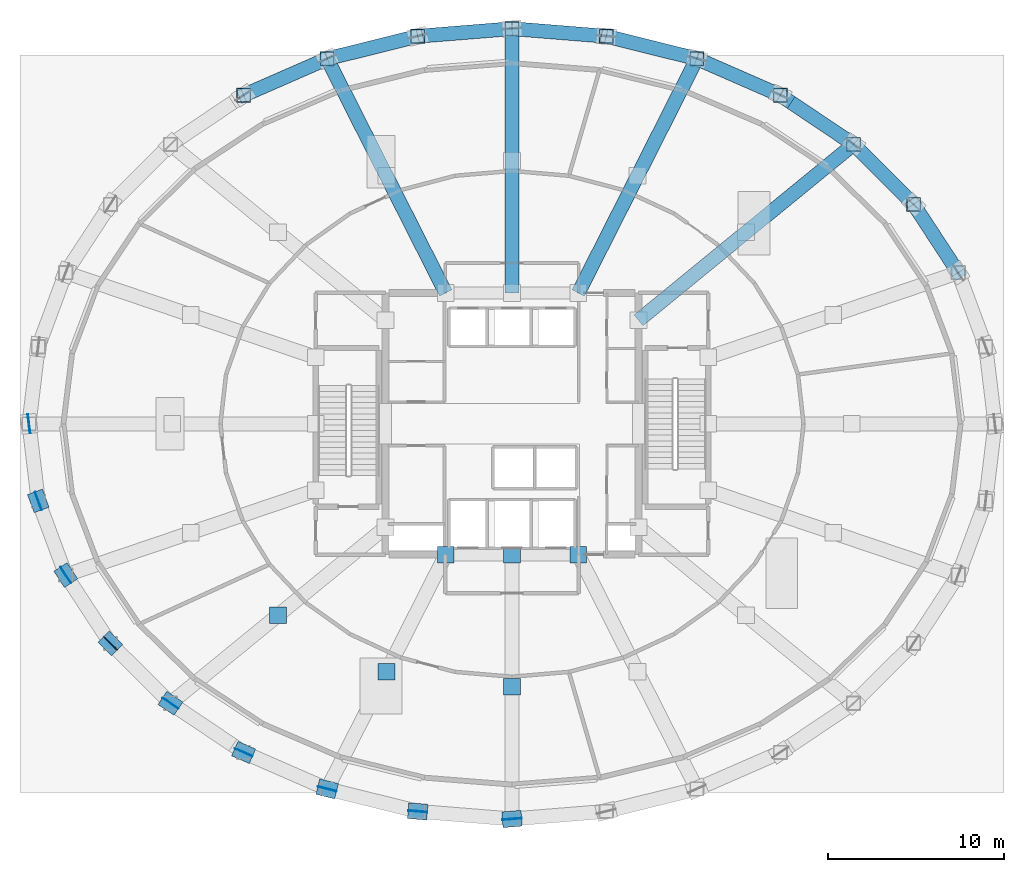
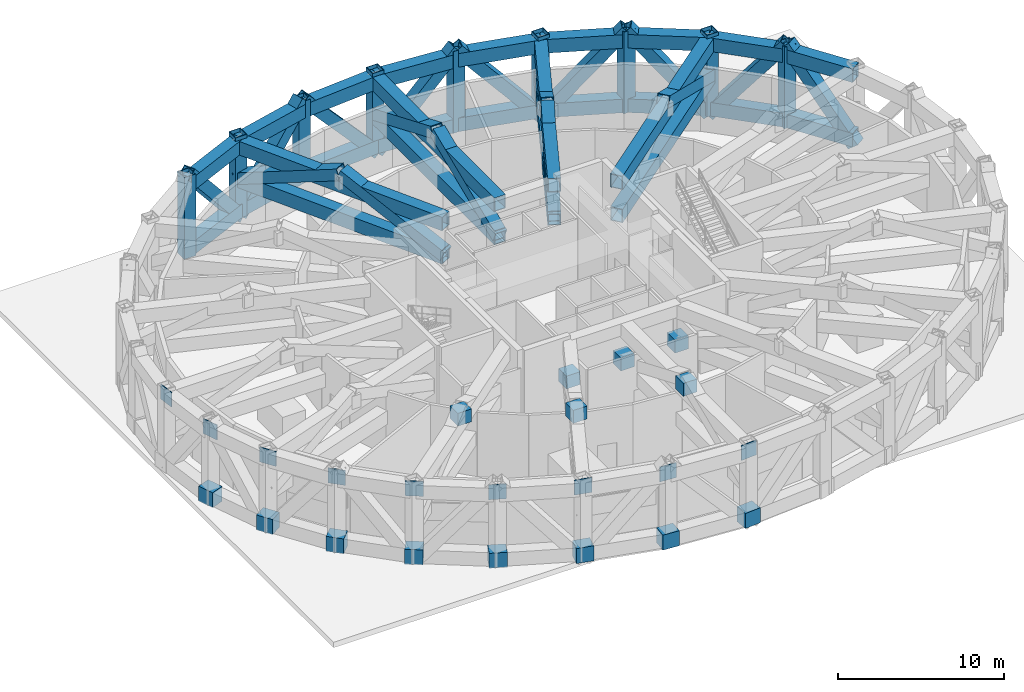
# One storey, part 3 of 12: 26 beams, 25 members, 23 plates.
"""IFC4 building model written with IfcOpenShell, lengths in metres."""

from ifc_helpers import new_model, si_unit, direction, frame, origin, origin_2d, place, context, subcontext, project, spatial, rectangle, hollow_rectangle, extrude, material, layer, layer_set, material_profile, profile_set, type_object, element, save


model = new_model("IFC4")

# Units and contexts
model_context = context("Model", 3, precision=1e-05, world=origin(), true_north=direction((0.0, 1.0)))
body_context = subcontext(model_context, "Body", "Model", "MODEL_VIEW")
ifc_project = project(units=[si_unit("LENGTHUNIT", "METRE"), si_unit("AREAUNIT", "SQUARE_METRE"), si_unit("VOLUMEUNIT", "CUBIC_METRE"), si_unit("PLANEANGLEUNIT", "RADIAN"), si_unit("MASSUNIT", "GRAM", prefix="KILO")], contexts=[model_context])

# Site, building, storey
site_placement = place(None, origin())
site = spatial("IfcSite", under=ifc_project, at=site_placement, CompositionType="ELEMENT")
building_placement = place(site_placement, origin())
building = spatial("IfcBuilding", under=site, at=building_placement, Name="Veldorina Hangang Commons", CompositionType="ELEMENT")
storey_placement = place(building_placement, frame((0.0, 0.0, 24.39990234375)))
storey = spatial("IfcBuildingStorey", under=building, at=storey_placement, Name="L05", CompositionType="ELEMENT", Elevation=24.39990234375)

# Beams
ifc_material = material(Name="Steel SM490-TMC", Category="steel")
ifc_material_profile_1 = material_profile(ifc_material, hollow_rectangle(XDim=0.800048828125, YDim=1.0, WallThickness=0.044921875, at=origin_2d()), Name="BOX-1000x800x45")
ifc_profile_set_1 = profile_set([ifc_material_profile_1], Name="Steel SM490-TMC")
beam_type = type_object("IfcBeamType", Name="BM-TRF1000", PredefinedType="BEAM", material=ifc_profile_set_1)
for number, where, z_axis, x_axis, name in (
    (1, (57.40673828125, 32.6103515625, 5.239990234375), (-0.546927961762, 0.837179672856, 0.0), (-0.837179672856, -0.546927961762, 0.0), "L05 transfer truss top chord 02"),
    (2, (57.40673828125, 32.6103515625, 0.5), (-0.546927961762, 0.837179672856, 0.0), (-0.837179672856, -0.546927961762, 0.0), "L05 transfer truss bottom chord 02"),
):
    element("IfcBeam", number, at=place(storey_placement, frame(where, z_axis=z_axis, x_axis=x_axis)), inside=storey, type_object=beam_type, Name=name, PredefinedType="BEAM", context=body_context, shape_type="SweptSolid", body=[
        extrude(hollow_rectangle(XDim=0.800048828125, YDim=1.0, WallThickness=0.044921875, at=origin_2d()), origin(), (0.0, 0.0, 1.0), 4.646484375),
    ])
for number, where, z_axis, x_axis, name in (
    (3, (54.865478515625, 36.500244140625, 5.239990234375), (-0.708192829004, 0.706019062736, 0.0), (-0.706019062736, -0.708192829004, 0.0), "L05 transfer truss top chord 03"),
    (4, (54.865478515625, 36.500244140625, 0.5), (-0.708192829004, 0.706019062736, 0.0), (-0.706019062736, -0.708192829004, 0.0), "L05 transfer truss bottom chord 03"),
):
    element("IfcBeam", number, at=place(storey_placement, frame(where, z_axis=z_axis, x_axis=x_axis)), inside=storey, type_object=beam_type, Name=name, PredefinedType="BEAM", context=body_context, shape_type="SweptSolid", body=[
        extrude(hollow_rectangle(XDim=0.800048828125, YDim=1.0, WallThickness=0.044921875, at=origin_2d()), origin(), (0.0, 0.0, 1.0), 4.829345703125),
    ])
for number, where, z_axis, x_axis, name in (
    (5, (51.4453125, 39.909912109375, 5.239990234375), (-0.830197333269, 0.557469629517, 0.0), (-0.557469629517, -0.830197333269, 0.0), "L05 transfer truss top chord 04"),
    (6, (51.4453125, 39.909912109375, 0.5), (-0.830197333269, 0.557469629517, 0.0), (-0.557469629517, -0.830197333269, 0.0), "L05 transfer truss bottom chord 04"),
):
    element("IfcBeam", number, at=place(storey_placement, frame(where, z_axis=z_axis, x_axis=x_axis)), inside=storey, type_object=beam_type, Name=name, PredefinedType="BEAM", context=body_context, shape_type="SweptSolid", body=[
        extrude(hollow_rectangle(XDim=0.800048828125, YDim=1.0, WallThickness=0.044921875, at=origin_2d()), origin(), (0.0, 0.0, 1.0), 5.019287109375),
    ])
for number, where, z_axis, x_axis, name in (
    (7, (47.2783203125, 42.7080078125, 5.239990234375), (-0.916214551617, 0.400688027529, 0.0), (-0.400688027529, -0.916214551617, 0.0), "L05 transfer truss top chord 05"),
    (8, (47.2783203125, 42.7080078125, 0.5), (-0.916214551617, 0.400688027529, 0.0), (-0.400688027529, -0.916214551617, 0.0), "L05 transfer truss bottom chord 05"),
):
    element("IfcBeam", number, at=place(storey_placement, frame(where, z_axis=z_axis, x_axis=x_axis)), inside=storey, type_object=beam_type, Name=name, PredefinedType="BEAM", context=body_context, shape_type="SweptSolid", body=[
        extrude(hollow_rectangle(XDim=0.800048828125, YDim=1.0, WallThickness=0.044921875, at=origin_2d()), origin(), (0.0, 0.0, 1.0), 5.189453125),
    ])
for number, where, z_axis, x_axis, name in (
    (9, (42.523681640625, 44.787353515625, 5.239990234375), (-0.970557168318, 0.240870884556, 0.0), (-0.240870884556, -0.970557168318, 0.0), "L05 transfer truss top chord 06"),
    (10, (42.523681640625, 44.787353515625, 0.5), (-0.970557168318, 0.240870884556, 0.0), (-0.240870884556, -0.970557168318, 0.0), "L05 transfer truss bottom chord 06"),
):
    element("IfcBeam", number, at=place(storey_placement, frame(where, z_axis=z_axis, x_axis=x_axis)), inside=storey, type_object=beam_type, Name=name, PredefinedType="BEAM", context=body_context, shape_type="SweptSolid", body=[
        extrude(hollow_rectangle(XDim=0.800048828125, YDim=1.0, WallThickness=0.044921875, at=origin_2d()), origin(), (0.0, 0.0, 1.0), 5.315185546875),
    ])
for number, where, z_axis, x_axis, name in (
    (11, (37.364990234375, 46.067626953125, 5.239990234375), (-0.996768232769, 0.080331128111, 0.0), (-0.080331128111, -0.996768232769, 0.0), "L05 transfer truss top chord 07"),
    (12, (37.364990234375, 46.067626953125, 0.5), (-0.996768232769, 0.080331128111, 0.0), (-0.080331128111, -0.996768232769, 0.0), "L05 transfer truss bottom chord 07"),
    (13, (32.0, 46.5, 5.239990234375), (-0.996768232769, -0.080331128111, 0.0), (0.080331128111, -0.996768232769, 0.0), "L05 transfer truss top chord 08"),
    (14, (32.0, 46.5, 0.5), (-0.996768232769, -0.080331128111, 0.0), (0.080331128111, -0.996768232769, 0.0), "L05 transfer truss bottom chord 08"),
):
    element("IfcBeam", number, at=place(storey_placement, frame(where, z_axis=z_axis, x_axis=x_axis)), inside=storey, type_object=beam_type, Name=name, PredefinedType="BEAM", context=body_context, shape_type="SweptSolid", body=[
        extrude(hollow_rectangle(XDim=0.800048828125, YDim=1.0, WallThickness=0.044921875, at=origin_2d()), origin(), (0.0, 0.0, 1.0), 5.38232421875),
    ])
for number, where, z_axis, x_axis, name in (
    (15, (26.635009765625, 46.067626953125, 5.239990234375), (-0.970557168318, -0.240870884556, 0.0), (0.240870884556, -0.970557168318, 0.0), "L05 transfer truss top chord 09"),
    (16, (26.635009765625, 46.067626953125, 0.5), (-0.970557168318, -0.240870884556, 0.0), (0.240870884556, -0.970557168318, 0.0), "L05 transfer truss bottom chord 09"),
):
    element("IfcBeam", number, at=place(storey_placement, frame(where, z_axis=z_axis, x_axis=x_axis)), inside=storey, type_object=beam_type, Name=name, PredefinedType="BEAM", context=body_context, shape_type="SweptSolid", body=[
        extrude(hollow_rectangle(XDim=0.800048828125, YDim=1.0, WallThickness=0.044921875, at=origin_2d()), origin(), (0.0, 0.0, 1.0), 5.315185546875),
    ])
for number, where, z_axis, x_axis, name in (
    (17, (21.476318359375, 44.787353515625, 5.239990234375), (-0.916214551617, -0.400688027529, 0.0), (0.400688027529, -0.916214551617, 0.0), "L05 transfer truss top chord 10"),
    (18, (21.476318359375, 44.787353515625, 0.5), (-0.916214551617, -0.400688027529, 0.0), (0.400688027529, -0.916214551617, 0.0), "L05 transfer truss bottom chord 10"),
):
    element("IfcBeam", number, at=place(storey_placement, frame(where, z_axis=z_axis, x_axis=x_axis)), inside=storey, type_object=beam_type, Name=name, PredefinedType="BEAM", context=body_context, shape_type="SweptSolid", body=[
        extrude(hollow_rectangle(XDim=0.800048828125, YDim=1.0, WallThickness=0.044921875, at=origin_2d()), origin(), (0.0, 0.0, 1.0), 5.189453125),
    ])
for number, where, z_axis, x_axis, name in (
    (19, (39.199951171875, 29.890869140625, 5.239990234375), (0.773953861676, 0.633241991656, 0.0), (-0.633241991656, 0.773953861676, 0.0), "L05 radial transfer top girder 03"),
    (20, (39.199951171875, 29.890869140625, 2.800048828125), (0.773953861676, 0.633241991656, 0.0), (-0.633241991656, 0.773953861676, 0.0), "L05 radial transfer bottom girder 03"),
):
    element("IfcBeam", number, at=place(storey_placement, frame(where, z_axis=z_axis, x_axis=x_axis)), inside=storey, type_object=beam_type, Name=name, PredefinedType="BEAM", context=body_context, shape_type="SweptSolid", body=[
        extrude(hollow_rectangle(XDim=0.800048828125, YDim=1.0, WallThickness=0.044921875, at=origin_2d()), origin(), (0.0, 0.0, 1.0), 15.82177734375),
    ])
for number, where, z_axis, x_axis, name in (
    (21, (35.771484375, 31.449951171875, 5.239990234375), (0.451676273597, 0.892181900662, 0.0), (-0.892181900662, 0.451676273597, 0.0), "L05 radial transfer top girder 04"),
    (22, (35.771484375, 31.449951171875, 2.800048828125), (0.451676273597, 0.892181900662, 0.0), (-0.892181900662, 0.451676273597, 0.0), "L05 radial transfer bottom girder 04"),
):
    element("IfcBeam", number, at=place(storey_placement, frame(where, z_axis=z_axis, x_axis=x_axis)), inside=storey, type_object=beam_type, Name=name, PredefinedType="BEAM", context=body_context, shape_type="SweptSolid", body=[
        extrude(hollow_rectangle(XDim=0.800048828125, YDim=1.0, WallThickness=0.044921875, at=origin_2d()), origin(), (0.0, 0.0, 1.0), 14.94921875),
    ])
for number, where, z_axis, x_axis, name in (
    (23, (32.0, 31.449951171875, 5.239990234375), (0.0, 1.0, 0.0), (-1.0, 0.0, 0.0), "L05 radial transfer top girder 05"),
    (24, (32.0, 31.449951171875, 2.800048828125), (0.0, 1.0, 0.0), (-1.0, 0.0, 0.0), "L05 radial transfer bottom girder 05"),
):
    element("IfcBeam", number, at=place(storey_placement, frame(where, z_axis=z_axis, x_axis=x_axis)), inside=storey, type_object=beam_type, Name=name, PredefinedType="BEAM", context=body_context, shape_type="SweptSolid", body=[
        extrude(hollow_rectangle(XDim=0.800048828125, YDim=1.0, WallThickness=0.044921875, at=origin_2d()), origin(), (0.0, 0.0, 1.0), 15.050048828125),
    ])
for number, where, z_axis, x_axis, name in (
    (25, (28.228515625, 31.449951171875, 5.239990234375), (-0.451676273597, 0.892181900662, 0.0), (-0.892181900662, -0.451676273597, 0.0), "L05 radial transfer top girder 06"),
    (26, (28.228515625, 31.449951171875, 2.800048828125), (-0.451676273597, 0.892181900662, 0.0), (-0.892181900662, -0.451676273597, 0.0), "L05 radial transfer bottom girder 06"),
):
    element("IfcBeam", number, at=place(storey_placement, frame(where, z_axis=z_axis, x_axis=x_axis)), inside=storey, type_object=beam_type, Name=name, PredefinedType="BEAM", context=body_context, shape_type="SweptSolid", body=[
        extrude(hollow_rectangle(XDim=0.800048828125, YDim=1.0, WallThickness=0.044921875, at=origin_2d()), origin(), (0.0, 0.0, 1.0), 14.94921875),
    ])

# Members
ifc_material_profile_2 = material_profile(ifc_material, hollow_rectangle(XDim=0.800048828125, YDim=0.800048828125, WallThickness=0.0400390625, at=origin_2d()), Name="BOX-800x800x40")
ifc_profile_set_2 = profile_set([ifc_material_profile_2], Name="Steel SM490-TMC")
member_type = type_object("IfcMemberType", Name="TR-BOX800", PredefinedType="BRACE", material=ifc_profile_set_2)
member_1_placement = place(storey_placement, frame((57.40673828125, 32.6103515625, 0.0), z_axis=(-0.334871579761, 0.512586115893, 0.790643091959), x_axis=(-0.837179672856, -0.546927961762, 0.0)))
element("IfcMember", 27, at=member_1_placement, inside=storey, type_object=member_type, Name="L05 transfer perimeter diagonal 02", PredefinedType="BRACE", context=body_context, shape_type="SweptSolid", body=[
    extrude(hollow_rectangle(XDim=0.800048828125, YDim=0.800048828125, WallThickness=0.0400390625, at=origin_2d()), origin(), (0.0, 0.0, 1.0), 7.5888671875),
])
member_2_placement = place(storey_placement, frame((54.865478515625, 36.500244140625, 0.0), z_axis=(0.0, 0.0, 1.0), x_axis=(1.0, 0.0, 0.0)))
element("IfcMember", 28, at=member_2_placement, inside=storey, type_object=member_type, Name="L05 transfer truss vertical post 03", PredefinedType="BRACE", context=body_context, shape_type="SweptSolid", body=[
    extrude(hollow_rectangle(XDim=0.800048828125, YDim=0.800048828125, WallThickness=0.0400390625, at=origin_2d()), origin(), (0.0, 0.0, 1.0), 6.0),
])
member_3_placement = place(storey_placement, frame((54.865478515625, 36.500244140625, 6.0), z_axis=(-0.444052455287, 0.442689456102, -0.779001580493), x_axis=(-0.706019062736, -0.708192829004, 0.0)))
element("IfcMember", 29, at=member_3_placement, inside=storey, type_object=member_type, Name="L05 transfer perimeter diagonal 03", PredefinedType="BRACE", context=body_context, shape_type="SweptSolid", body=[
    extrude(hollow_rectangle(XDim=0.800048828125, YDim=0.800048828125, WallThickness=0.0400390625, at=origin_2d()), origin(), (0.0, 0.0, 1.0), 7.7021484375),
])
member_4_placement = place(storey_placement, frame((51.4453125, 39.909912109375, 0.0), z_axis=(0.0, 0.0, 1.0), x_axis=(1.0, 0.0, 0.0)))
element("IfcMember", 30, at=member_4_placement, inside=storey, type_object=member_type, Name="L05 transfer truss vertical post 04", PredefinedType="BRACE", context=body_context, shape_type="SweptSolid", body=[
    extrude(hollow_rectangle(XDim=0.800048828125, YDim=0.800048828125, WallThickness=0.0400390625, at=origin_2d()), origin(), (0.0, 0.0, 1.0), 6.0),
])
member_5_placement = place(storey_placement, frame((51.4453125, 39.909912109375, 0.0), z_axis=(-0.532685939643, 0.35769355251, 0.767007830599), x_axis=(-0.557469629517, -0.830197333269, 0.0)))
element("IfcMember", 31, at=member_5_placement, inside=storey, type_object=member_type, Name="L05 transfer perimeter diagonal 04", PredefinedType="BRACE", context=body_context, shape_type="SweptSolid", body=[
    extrude(hollow_rectangle(XDim=0.800048828125, YDim=0.800048828125, WallThickness=0.0400390625, at=origin_2d()), origin(), (0.0, 0.0, 1.0), 7.822509765625),
])
member_6_placement = place(storey_placement, frame((47.2783203125, 42.7080078125, 0.0), z_axis=(0.0, 0.0, 1.0), x_axis=(1.0, 0.0, 0.0)))
element("IfcMember", 32, at=member_6_placement, inside=storey, type_object=member_type, Name="L05 transfer truss vertical post 05", PredefinedType="BRACE", context=body_context, shape_type="SweptSolid", body=[
    extrude(hollow_rectangle(XDim=0.800048828125, YDim=0.800048828125, WallThickness=0.0400390625, at=origin_2d()), origin(), (0.0, 0.0, 1.0), 6.0),
])
member_7_placement = place(storey_placement, frame((47.2783203125, 42.7080078125, 6.0), z_axis=(-0.599359964024, 0.262118039209, -0.756347649594), x_axis=(-0.400688027529, -0.916214551617, 0.0)))
element("IfcMember", 33, at=member_7_placement, inside=storey, type_object=member_type, Name="L05 transfer perimeter diagonal 05", PredefinedType="BRACE", context=body_context, shape_type="SweptSolid", body=[
    extrude(hollow_rectangle(XDim=0.800048828125, YDim=0.800048828125, WallThickness=0.0400390625, at=origin_2d()), origin(), (0.0, 0.0, 1.0), 7.932861328125),
])
member_8_placement = place(storey_placement, frame((42.523681640625, 44.787353515625, 0.0), z_axis=(0.0, 0.0, 1.0), x_axis=(1.0, 0.0, 0.0)))
element("IfcMember", 34, at=member_8_placement, inside=storey, type_object=member_type, Name="L05 transfer truss vertical post 06", PredefinedType="BRACE", context=body_context, shape_type="SweptSolid", body=[
    extrude(hollow_rectangle(XDim=0.800048828125, YDim=0.800048828125, WallThickness=0.0400390625, at=origin_2d()), origin(), (0.0, 0.0, 1.0), 6.0),
])
member_9_placement = place(storey_placement, frame((42.523681640625, 44.787353515625, 0.0), z_axis=(-0.643574661969, 0.159721037736, 0.748532460603), x_axis=(-0.240870884556, -0.970557168318, 0.0)))
element("IfcMember", 35, at=member_9_placement, inside=storey, type_object=member_type, Name="L05 transfer perimeter diagonal 06", PredefinedType="BRACE", context=body_context, shape_type="SweptSolid", body=[
    extrude(hollow_rectangle(XDim=0.800048828125, YDim=0.800048828125, WallThickness=0.0400390625, at=origin_2d()), origin(), (0.0, 0.0, 1.0), 8.015625),
])
member_10_placement = place(storey_placement, frame((37.364990234375, 46.067626953125, 0.0), z_axis=(0.0, 0.0, 1.0), x_axis=(1.0, 0.0, 0.0)))
element("IfcMember", 36, at=member_10_placement, inside=storey, type_object=member_type, Name="L05 transfer truss vertical post 07", PredefinedType="BRACE", context=body_context, shape_type="SweptSolid", body=[
    extrude(hollow_rectangle(XDim=0.800048828125, YDim=0.800048828125, WallThickness=0.0400390625, at=origin_2d()), origin(), (0.0, 0.0, 1.0), 6.0),
])
member_11_placement = place(storey_placement, frame((37.364990234375, 46.067626953125, 6.0), z_axis=(-0.665598415745, 0.053641628864, -0.744379825499), x_axis=(-0.080331128111, -0.996768232769, 0.0)))
element("IfcMember", 37, at=member_11_placement, inside=storey, type_object=member_type, Name="L05 transfer perimeter diagonal 07", PredefinedType="BRACE", context=body_context, shape_type="SweptSolid", body=[
    extrude(hollow_rectangle(XDim=0.800048828125, YDim=0.800048828125, WallThickness=0.0400390625, at=origin_2d()), origin(), (0.0, 0.0, 1.0), 8.060302734375),
])
member_12_placement = place(storey_placement, frame((32.0, 46.5, 0.0), z_axis=(0.0, 0.0, 1.0), x_axis=(1.0, 0.0, 0.0)))
element("IfcMember", 38, at=member_12_placement, inside=storey, type_object=member_type, Name="L05 transfer truss vertical post 08", PredefinedType="BRACE", context=body_context, shape_type="SweptSolid", body=[
    extrude(hollow_rectangle(XDim=0.800048828125, YDim=0.800048828125, WallThickness=0.0400390625, at=origin_2d()), origin(), (0.0, 0.0, 1.0), 6.0),
])
member_13_placement = place(storey_placement, frame((32.0, 46.5, 0.0), z_axis=(-0.665598415745, -0.053641628864, 0.744379825499), x_axis=(0.080331128111, -0.996768232769, 0.0)))
element("IfcMember", 39, at=member_13_placement, inside=storey, type_object=member_type, Name="L05 transfer perimeter diagonal 08", PredefinedType="BRACE", context=body_context, shape_type="SweptSolid", body=[
    extrude(hollow_rectangle(XDim=0.800048828125, YDim=0.800048828125, WallThickness=0.0400390625, at=origin_2d()), origin(), (0.0, 0.0, 1.0), 8.060302734375),
])
member_14_placement = place(storey_placement, frame((26.635009765625, 46.067626953125, 0.0), z_axis=(0.0, 0.0, 1.0), x_axis=(1.0, 0.0, 0.0)))
element("IfcMember", 40, at=member_14_placement, inside=storey, type_object=member_type, Name="L05 transfer truss vertical post 09", PredefinedType="BRACE", context=body_context, shape_type="SweptSolid", body=[
    extrude(hollow_rectangle(XDim=0.800048828125, YDim=0.800048828125, WallThickness=0.0400390625, at=origin_2d()), origin(), (0.0, 0.0, 1.0), 6.0),
])
member_15_placement = place(storey_placement, frame((26.635009765625, 46.067626953125, 6.0), z_axis=(-0.643574661969, -0.159721037736, -0.748532460603), x_axis=(0.240870884556, -0.970557168318, 0.0)))
element("IfcMember", 41, at=member_15_placement, inside=storey, type_object=member_type, Name="L05 transfer perimeter diagonal 09", PredefinedType="BRACE", context=body_context, shape_type="SweptSolid", body=[
    extrude(hollow_rectangle(XDim=0.800048828125, YDim=0.800048828125, WallThickness=0.0400390625, at=origin_2d()), origin(), (0.0, 0.0, 1.0), 8.015625),
])
member_16_placement = place(storey_placement, frame((21.476318359375, 44.787353515625, 0.0), z_axis=(0.0, 0.0, 1.0), x_axis=(1.0, 0.0, 0.0)))
element("IfcMember", 42, at=member_16_placement, inside=storey, type_object=member_type, Name="L05 transfer truss vertical post 10", PredefinedType="BRACE", context=body_context, shape_type="SweptSolid", body=[
    extrude(hollow_rectangle(XDim=0.800048828125, YDim=0.800048828125, WallThickness=0.0400390625, at=origin_2d()), origin(), (0.0, 0.0, 1.0), 6.0),
])
member_17_placement = place(storey_placement, frame((21.476318359375, 44.787353515625, 0.0), z_axis=(-0.599359964024, -0.262118039209, 0.756347649594), x_axis=(0.400688027529, -0.916214551617, 0.0)))
element("IfcMember", 43, at=member_17_placement, inside=storey, type_object=member_type, Name="L05 transfer perimeter diagonal 10", PredefinedType="BRACE", context=body_context, shape_type="SweptSolid", body=[
    extrude(hollow_rectangle(XDim=0.800048828125, YDim=0.800048828125, WallThickness=0.0400390625, at=origin_2d()), origin(), (0.0, 0.0, 1.0), 7.932861328125),
])
member_18_placement = place(storey_placement, frame((16.7216796875, 42.7080078125, 0.0), z_axis=(0.0, 0.0, 1.0), x_axis=(1.0, 0.0, 0.0)))
element("IfcMember", 44, at=member_18_placement, inside=storey, type_object=member_type, Name="L05 transfer truss vertical post 11", PredefinedType="BRACE", context=body_context, shape_type="SweptSolid", body=[
    extrude(hollow_rectangle(XDim=0.800048828125, YDim=0.800048828125, WallThickness=0.0400390625, at=origin_2d()), origin(), (0.0, 0.0, 1.0), 6.0),
])
member_19_placement = place(storey_placement, frame((45.32275390625, 34.900390625, 6.0), z_axis=(0.719043590074, 0.588326637879, -0.369929834881), x_axis=(-0.633249554266, 0.773947673956, 0.0)))
element("IfcMember", 45, at=member_19_placement, inside=storey, type_object=member_type, Name="L05 radial transfer outer web brace 03", PredefinedType="BRACE", context=body_context, shape_type="SweptSolid", body=[
    extrude(hollow_rectangle(XDim=0.800048828125, YDim=0.800048828125, WallThickness=0.0400390625, at=origin_2d()), origin(), (0.0, 0.0, 1.0), 8.514892578125),
])
member_20_placement = place(storey_placement, frame((35.771484375, 31.449951171875, 2.85009765625), z_axis=(0.416239419568, 0.82215487349, 0.388337623202), x_axis=(-0.892175319449, 0.451689273025, 0.0)))
element("IfcMember", 46, at=member_20_placement, inside=storey, type_object=member_type, Name="L05 radial transfer inner web brace 04", PredefinedType="BRACE", context=body_context, shape_type="SweptSolid", body=[
    extrude(hollow_rectangle(XDim=0.800048828125, YDim=0.800048828125, WallThickness=0.0400390625, at=origin_2d()), origin(), (0.0, 0.0, 1.0), 8.111328125),
])
member_21_placement = place(storey_placement, frame((39.147705078125, 38.11865234375, 6.0), z_axis=(0.416214534889, 0.822165173597, -0.388342488367), x_axis=(-0.892188481783, 0.451663273882, 0.0)))
element("IfcMember", 47, at=member_21_placement, inside=storey, type_object=member_type, Name="L05 radial transfer outer web brace 04", PredefinedType="BRACE", context=body_context, shape_type="SweptSolid", body=[
    extrude(hollow_rectangle(XDim=0.800048828125, YDim=0.800048828125, WallThickness=0.0400390625, at=origin_2d()), origin(), (0.0, 0.0, 1.0), 8.111083984375),
])
member_22_placement = place(storey_placement, frame((32.0, 31.449951171875, 2.85009765625), z_axis=(0.0, 0.922447929404, 0.386121506186), x_axis=(-1.0, 0.0, 0.0)))
element("IfcMember", 48, at=member_22_placement, inside=storey, type_object=member_type, Name="L05 radial transfer inner web brace 05", PredefinedType="BRACE", context=body_context, shape_type="SweptSolid", body=[
    extrude(hollow_rectangle(XDim=0.800048828125, YDim=0.800048828125, WallThickness=0.0400390625, at=origin_2d()), origin(), (0.0, 0.0, 1.0), 8.15771484375),
])
member_23_placement = place(storey_placement, frame((32.0, 38.97509765625, 6.0), z_axis=(0.0, 0.922443467369, -0.386132165855), x_axis=(-1.0, 0.0, 0.0)))
element("IfcMember", 49, at=member_23_placement, inside=storey, type_object=member_type, Name="L05 radial transfer outer web brace 05", PredefinedType="BRACE", context=body_context, shape_type="SweptSolid", body=[
    extrude(hollow_rectangle(XDim=0.800048828125, YDim=0.800048828125, WallThickness=0.0400390625, at=origin_2d()), origin(), (0.0, 0.0, 1.0), 8.157470703125),
])
member_24_placement = place(storey_placement, frame((28.228515625, 31.449951171875, 2.85009765625), z_axis=(-0.416239419568, 0.82215487349, 0.388337623202), x_axis=(-0.892175319449, -0.451689273025, 0.0)))
element("IfcMember", 50, at=member_24_placement, inside=storey, type_object=member_type, Name="L05 radial transfer inner web brace 06", PredefinedType="BRACE", context=body_context, shape_type="SweptSolid", body=[
    extrude(hollow_rectangle(XDim=0.800048828125, YDim=0.800048828125, WallThickness=0.0400390625, at=origin_2d()), origin(), (0.0, 0.0, 1.0), 8.111328125),
])
member_25_placement = place(storey_placement, frame((24.852294921875, 38.11865234375, 6.0), z_axis=(-0.416214534889, 0.822165173597, -0.388342488367), x_axis=(-0.892188481783, -0.451663273882, 0.0)))
element("IfcMember", 51, at=member_25_placement, inside=storey, type_object=member_type, Name="L05 radial transfer outer web brace 06", PredefinedType="BRACE", context=body_context, shape_type="SweptSolid", body=[
    extrude(hollow_rectangle(XDim=0.800048828125, YDim=0.800048828125, WallThickness=0.0400390625, at=origin_2d()), origin(), (0.0, 0.0, 1.0), 8.111083984375),
])

# Plates
ifc_layer = layer(ifc_material, 0.044921875)
ifc_layer_set = layer_set([ifc_layer], Name="Steel SM490-TMC")
plate_type = type_object("IfcPlateType", Name="PL-NODE-45", PredefinedType="SHEET", material=ifc_layer_set)
for number, where, z_axis, x_axis, name in (
    (52, (4.5, 24.0, 4.68994140625), (0.0, 0.0, 1.0), (0.119513047327, -0.992832630164, 0.0), "L05 transfer node gusset plate 16"),
    (53, (5.0283203125, 19.610595703125, 4.68994140625), (0.0, 0.0, 1.0), (0.347623066797, -0.937634365534, 0.0), "L05 transfer node gusset plate 17"),
):
    element("IfcPlate", number, at=place(storey_placement, frame(where, z_axis=z_axis, x_axis=x_axis)), inside=storey, type_object=plate_type, Name=name, PredefinedType="SHEET", context=body_context, shape_type="SweptSolid", body=[
        extrude(rectangle(XDim=1.10009765625, YDim=0.044921875, at=origin_2d()), origin(), (0.0, 0.0, 1.0), 1.10009765625),
    ])
plate_1_placement = place(storey_placement, frame((5.0283203125, 19.610595703125, -0.050048828125), z_axis=(0.0, 0.0, 1.0), x_axis=(0.347623066797, -0.937634365534, 0.0)))
element("IfcPlate", 54, at=plate_1_placement, inside=storey, type_object=plate_type, Name="L05 transfer bottom node gusset 17", PredefinedType="SHEET", context=body_context, shape_type="SweptSolid", body=[
    extrude(rectangle(XDim=1.10009765625, YDim=0.89990234375, at=origin_2d()), origin(), (0.0, 0.0, 1.0), 1.10009765625),
])
plate_2_placement = place(storey_placement, frame((6.59326171875, 15.3896484375, 4.68994140625), z_axis=(0.0, 0.0, 1.0), x_axis=(0.546935084777, -0.83717501936, 0.0)))
element("IfcPlate", 55, at=plate_2_placement, inside=storey, type_object=plate_type, Name="L05 transfer node gusset plate 18", PredefinedType="SHEET", context=body_context, shape_type="SweptSolid", body=[
    extrude(rectangle(XDim=1.10009765625, YDim=0.044921875, at=origin_2d()), origin(), (0.0, 0.0, 1.0), 1.10009765625),
])
plate_3_placement = place(storey_placement, frame((6.59326171875, 15.3896484375, -0.050048828125), z_axis=(0.0, 0.0, 1.0), x_axis=(0.546935084777, -0.83717501936, 0.0)))
element("IfcPlate", 56, at=plate_3_placement, inside=storey, type_object=plate_type, Name="L05 transfer bottom node gusset 18", PredefinedType="SHEET", context=body_context, shape_type="SweptSolid", body=[
    extrude(rectangle(XDim=1.10009765625, YDim=0.89990234375, at=origin_2d()), origin(), (0.0, 0.0, 1.0), 1.10009765625),
])
plate_4_placement = place(storey_placement, frame((9.134521484375, 11.499755859375, 4.68994140625), z_axis=(0.0, 0.0, 1.0), x_axis=(0.708179662314, -0.706032269719, 0.0)))
element("IfcPlate", 57, at=plate_4_placement, inside=storey, type_object=plate_type, Name="L05 transfer node gusset plate 19", PredefinedType="SHEET", context=body_context, shape_type="SweptSolid", body=[
    extrude(rectangle(XDim=1.10009765625, YDim=0.044921875, at=origin_2d()), origin(), (0.0, 0.0, 1.0), 1.10009765625),
])
plate_5_placement = place(storey_placement, frame((9.134521484375, 11.499755859375, -0.050048828125), z_axis=(0.0, 0.0, 1.0), x_axis=(0.708179662314, -0.706032269719, 0.0)))
element("IfcPlate", 58, at=plate_5_placement, inside=storey, type_object=plate_type, Name="L05 transfer bottom node gusset 19", PredefinedType="SHEET", context=body_context, shape_type="SweptSolid", body=[
    extrude(rectangle(XDim=1.10009765625, YDim=0.89990234375, at=origin_2d()), origin(), (0.0, 0.0, 1.0), 1.10009765625),
])
plate_6_placement = place(storey_placement, frame((12.5546875, 8.090087890625, 4.68994140625), z_axis=(0.0, 0.0, 1.0), x_axis=(0.830197194737, -0.557469835821, 0.0)))
element("IfcPlate", 59, at=plate_6_placement, inside=storey, type_object=plate_type, Name="L05 transfer node gusset plate 20", PredefinedType="SHEET", context=body_context, shape_type="SweptSolid", body=[
    extrude(rectangle(XDim=1.10009765625, YDim=0.044921875, at=origin_2d()), origin(), (0.0, 0.0, 1.0), 1.10009765625),
])
plate_7_placement = place(storey_placement, frame((12.5546875, 8.090087890625, -0.050048828125), z_axis=(0.0, 0.0, 1.0), x_axis=(0.830197194737, -0.557469835821, 0.0)))
element("IfcPlate", 60, at=plate_7_placement, inside=storey, type_object=plate_type, Name="L05 transfer bottom node gusset 20", PredefinedType="SHEET", context=body_context, shape_type="SweptSolid", body=[
    extrude(rectangle(XDim=1.10009765625, YDim=0.89990234375, at=origin_2d()), origin(), (0.0, 0.0, 1.0), 1.10009765625),
])
plate_8_placement = place(storey_placement, frame((16.7216796875, 5.2919921875, 4.68994140625), z_axis=(0.0, 0.0, 1.0), x_axis=(0.916215932431, -0.400684870141, 0.0)))
element("IfcPlate", 61, at=plate_8_placement, inside=storey, type_object=plate_type, Name="L05 transfer node gusset plate 21", PredefinedType="SHEET", context=body_context, shape_type="SweptSolid", body=[
    extrude(rectangle(XDim=1.10009765625, YDim=0.044921875, at=origin_2d()), origin(), (0.0, 0.0, 1.0), 1.10009765625),
])
plate_9_placement = place(storey_placement, frame((16.7216796875, 5.2919921875, -0.050048828125), z_axis=(0.0, 0.0, 1.0), x_axis=(0.916215932431, -0.400684870141, 0.0)))
element("IfcPlate", 62, at=plate_9_placement, inside=storey, type_object=plate_type, Name="L05 transfer bottom node gusset 21", PredefinedType="SHEET", context=body_context, shape_type="SweptSolid", body=[
    extrude(rectangle(XDim=1.10009765625, YDim=0.89990234375, at=origin_2d()), origin(), (0.0, 0.0, 1.0), 1.10009765625),
])
plate_10_placement = place(storey_placement, frame((21.476318359375, 3.212646484375, 4.68994140625), z_axis=(0.0, 0.0, 1.0), x_axis=(0.970552738672, -0.240888732524, 0.0)))
element("IfcPlate", 63, at=plate_10_placement, inside=storey, type_object=plate_type, Name="L05 transfer node gusset plate 22", PredefinedType="SHEET", context=body_context, shape_type="SweptSolid", body=[
    extrude(rectangle(XDim=1.10009765625, YDim=0.044921875, at=origin_2d()), origin(), (0.0, 0.0, 1.0), 1.10009765625),
])
plate_11_placement = place(storey_placement, frame((21.476318359375, 3.212646484375, -0.050048828125), z_axis=(0.0, 0.0, 1.0), x_axis=(0.970552738672, -0.240888732524, 0.0)))
element("IfcPlate", 64, at=plate_11_placement, inside=storey, type_object=plate_type, Name="L05 transfer bottom node gusset 22", PredefinedType="SHEET", context=body_context, shape_type="SweptSolid", body=[
    extrude(rectangle(XDim=1.10009765625, YDim=0.89990234375, at=origin_2d()), origin(), (0.0, 0.0, 1.0), 1.10009765625),
])
plate_12_placement = place(storey_placement, frame((26.635009765625, 1.932373046875, 4.68994140625), z_axis=(0.0, 0.0, 1.0), x_axis=(0.99676907287, -0.080320703243, 0.0)))
element("IfcPlate", 65, at=plate_12_placement, inside=storey, type_object=plate_type, Name="L05 transfer node gusset plate 23", PredefinedType="SHEET", context=body_context, shape_type="SweptSolid", body=[
    extrude(rectangle(XDim=1.10009765625, YDim=0.044921875, at=origin_2d()), origin(), (0.0, 0.0, 1.0), 1.10009765625),
])
plate_13_placement = place(storey_placement, frame((26.635009765625, 1.932373046875, -0.050048828125), z_axis=(0.0, 0.0, 1.0), x_axis=(0.99676907287, -0.080320703243, 0.0)))
element("IfcPlate", 66, at=plate_13_placement, inside=storey, type_object=plate_type, Name="L05 transfer bottom node gusset 23", PredefinedType="SHEET", context=body_context, shape_type="SweptSolid", body=[
    extrude(rectangle(XDim=1.10009765625, YDim=0.89990234375, at=origin_2d()), origin(), (0.0, 0.0, 1.0), 1.10009765625),
])
plate_14_placement = place(storey_placement, frame((32.0, 1.5, 4.68994140625), z_axis=(0.0, 0.0, 1.0), x_axis=(0.99676907287, 0.080320703243, 0.0)))
element("IfcPlate", 67, at=plate_14_placement, inside=storey, type_object=plate_type, Name="L05 transfer node gusset plate 24", PredefinedType="SHEET", context=body_context, shape_type="SweptSolid", body=[
    extrude(rectangle(XDim=1.10009765625, YDim=0.044921875, at=origin_2d()), origin(), (0.0, 0.0, 1.0), 1.10009765625),
])
plate_15_placement = place(storey_placement, frame((32.0, 1.5, -0.050048828125), z_axis=(0.0, 0.0, 1.0), x_axis=(0.99676907287, 0.080320703243, 0.0)))
element("IfcPlate", 68, at=plate_15_placement, inside=storey, type_object=plate_type, Name="L05 transfer bottom node gusset 24", PredefinedType="SHEET", context=body_context, shape_type="SweptSolid", body=[
    extrude(rectangle(XDim=1.10009765625, YDim=0.89990234375, at=origin_2d()), origin(), (0.0, 0.0, 1.0), 1.10009765625),
])
for number, where, z_axis, x_axis, name in (
    (69, (18.67724609375, 13.099609375, 5.0751953125), (0.0, 0.0, 1.0), (1.0, 0.0, 0.0), "L05 radial transfer node 11-MD"),
    (70, (28.228515625, 16.550048828125, 2.375), (0.0, 0.0, 1.0), (1.0, 0.0, 0.0), "L05 radial transfer node 12-IN"),
    (71, (24.852294921875, 9.88134765625, 5.0751953125), (0.0, 0.0, 1.0), (1.0, 0.0, 0.0), "L05 radial transfer node 12-MD"),
    (72, (32.0, 16.550048828125, 2.375), (0.0, 0.0, 1.0), (1.0, 0.0, 0.0), "L05 radial transfer node 13-IN"),
    (73, (32.0, 9.02490234375, 5.0751953125), (0.0, 0.0, 1.0), (1.0, 0.0, 0.0), "L05 radial transfer node 13-MD"),
    (74, (35.771484375, 16.550048828125, 2.375), (0.0, 0.0, 1.0), (1.0, 0.0, 0.0), "L05 radial transfer node 14-IN"),
):
    element("IfcPlate", number, at=place(storey_placement, frame(where, z_axis=z_axis, x_axis=x_axis)), inside=storey, type_object=plate_type, Name=name, PredefinedType="SHEET", context=body_context, shape_type="SweptSolid", body=[
        extrude(rectangle(XDim=0.949951171875, YDim=0.949951171875, at=origin_2d()), origin(), (0.0, 0.0, 1.0), 0.949951171875),
    ])

save(model, "model.ifc")
